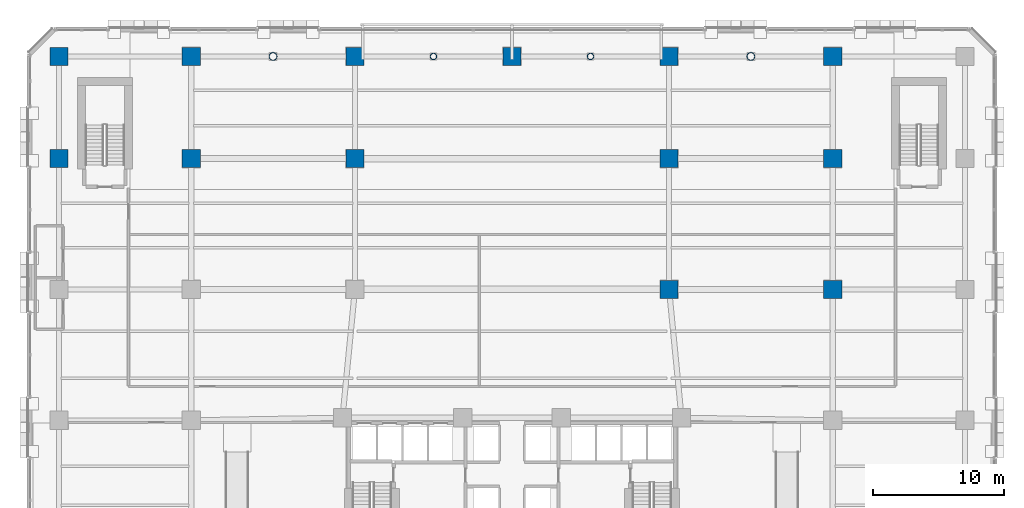
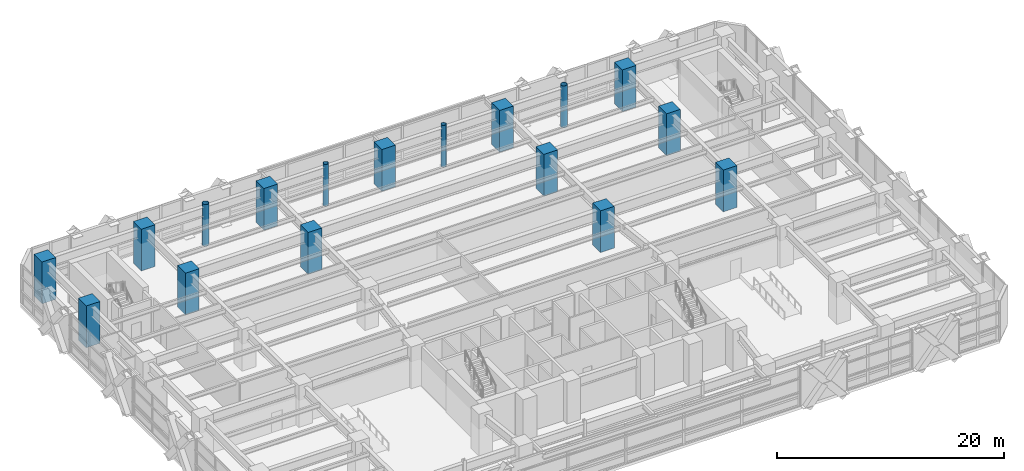
# One storey, part 4 of 30: 17 columns.
"""IFC4 building model written with IfcOpenShell, lengths in metres."""

import ifcopenshell
import ifcopenshell.guid

model = None  # the IFC model being written
_history = None  # IfcOwnerHistory: only IFC2X3 demands one
_inside = {}  # id of a spatial element -> (the spatial element, [elements in it])
_under = {}  # id of a project, library or spatial element -> (it, [spatial elements below it])
_declared = {}  # id of a project -> (the project, [libraries it declares])
_typed = {}  # id of a type object -> (the type object, [elements of that type])
_made_of = {}  # id of a material, layer set ... -> (it, [elements and type objects made of it])


def new_model(schema):
    """Start an empty IFC model of exactly this schema.

    Asked for "IFC4X3", IfcOpenShell would pick the latest addendum, in which some entities
    have other attributes; the version numbers below select the first issue.
    IFC2X3 requires an IfcOwnerHistory on every rooted entity: one is made here for all.
    """
    global model, _history
    if schema == "IFC4X3":
        model = ifcopenshell.file(schema_version=(4, 3, 0, 0))
    else:
        model = ifcopenshell.file(schema=schema)
    _inside.clear()
    _under.clear()
    _declared.clear()
    _typed.clear()
    _made_of.clear()
    _history = None
    if model.schema == "IFC2X3":
        org = make("IfcOrganization", Name="unknown")
        user = make(
            "IfcPersonAndOrganization",
            ThePerson=make("IfcPerson", FamilyName="unknown"),
            TheOrganization=org,
        )
        app = make(
            "IfcApplication",
            ApplicationDeveloper=org,
            Version="unknown",
            ApplicationFullName="unknown",
            ApplicationIdentifier="unknown",
        )
        _history = make(
            "IfcOwnerHistory",
            OwningUser=user,
            OwningApplication=app,
            ChangeAction="ADDED",
            CreationDate=0,
        )
    return model


def make(cls, **values):
    """One entity of the class cls with the attributes given. An attribute that is None is left unset."""
    return model.create_entity(
        cls, **{name: value for name, value in values.items() if value is not None}
    )


def rooted(cls, **values):
    """An entity with a GlobalId (a new one), such as an element, a storey or a relation."""
    return make(cls, GlobalId=ifcopenshell.guid.new(), OwnerHistory=_history, **values)


def si_unit(unit_type, name, prefix=None):
    """IfcSIUnit, for example si_unit("LENGTHUNIT", "METRE", prefix="MILLI")."""
    return make("IfcSIUnit", UnitType=unit_type, Prefix=prefix, Name=name)


def assignment(units):
    """IfcUnitAssignment: the units of a project."""
    return None if units is None else make("IfcUnitAssignment", Units=units)


def point(xyz):
    """IfcCartesianPoint."""
    return None if xyz is None else make("IfcCartesianPoint", Coordinates=xyz)


def direction(xyz):
    """IfcDirection."""
    return None if xyz is None else make("IfcDirection", DirectionRatios=xyz)


def frame(location, z_axis=None, x_axis=None):
    """IfcAxis2Placement3D, a coordinate frame: its origin and axes. An axis left out is left unset."""
    return make(
        "IfcAxis2Placement3D",
        Location=point(location),
        Axis=direction(z_axis),
        RefDirection=direction(x_axis),
    )


def frame_2d(location, x_axis=None):
    """IfcAxis2Placement2D, a coordinate frame in the plane: its origin and x axis."""
    return make(
        "IfcAxis2Placement2D", Location=point(location), RefDirection=direction(x_axis)
    )


def origin():
    """The frame at (0, 0, 0) with its axes left unset."""
    return frame((0.0, 0.0, 0.0))


def origin_2d():
    """The frame at (0, 0) in the plane with its x axis left unset."""
    return frame_2d((0.0, 0.0))


def place(relative_to, where):
    """IfcLocalPlacement: puts the frame where relative to a parent placement (None: the world)."""
    return make(
        "IfcLocalPlacement", PlacementRelTo=relative_to, RelativePlacement=where
    )


def context(
    kind, dimensions, precision=None, world=None, true_north=None, identifier=None
):
    """IfcGeometricRepresentationContext, for example the 3D "Model" context."""
    return make(
        "IfcGeometricRepresentationContext",
        ContextIdentifier=identifier,
        ContextType=kind,
        CoordinateSpaceDimension=dimensions,
        Precision=precision,
        WorldCoordinateSystem=world,
        TrueNorth=true_north,
    )


def subcontext(parent, identifier, kind, view, scale=None):
    """IfcGeometricRepresentationSubContext, for example "Body" below "Model"."""
    return make(
        "IfcGeometricRepresentationSubContext",
        ContextIdentifier=identifier,
        ContextType=kind,
        ParentContext=parent,
        TargetScale=scale,
        TargetView=view,
    )


def project(units=None, contexts=None):
    """IfcProject with its units and contexts."""
    return rooted(
        "IfcProject",
        Name="project",
        RepresentationContexts=contexts,
        UnitsInContext=assignment(units),
    )


def spatial(cls, under=None, at=None, **own):
    """A site, building, storey or space (cls), placed at a placement, below another one or the project."""
    s = rooted(cls, ObjectPlacement=at, **own)
    if under is not None:
        _under.setdefault(under.id(), (under, []))[1].append(s)
    return s


def profile(cls, at=None, kind="AREA", **sizes):
    """A parametric profile (cls). Its sizes go by their IFC names, for example OverallWidth=200.0."""
    return make(cls, ProfileType=kind, Position=at, **sizes)


def rectangle(**sizes):
    """IfcRectangleProfileDef."""
    return profile("IfcRectangleProfileDef", **sizes)


def hollow_circle(**sizes):
    """IfcCircleHollowProfileDef."""
    return profile("IfcCircleHollowProfileDef", **sizes)


def extrude(swept, where, along, depth):
    """IfcExtrudedAreaSolid: the profile swept, set in the frame where, extruded along a direction by depth."""
    return make(
        "IfcExtrudedAreaSolid",
        SweptArea=swept,
        Position=where,
        ExtrudedDirection=direction(along),
        Depth=depth,
    )


def shape(context_of_items, identifier, shape_type, items):
    """IfcShapeRepresentation: the items that make up one representation, for example the "Body"."""
    return make(
        "IfcShapeRepresentation",
        ContextOfItems=context_of_items,
        RepresentationIdentifier=identifier,
        RepresentationType=shape_type,
        Items=items,
    )


def material(Name=None, Category=None):
    """IfcMaterial."""
    return make("IfcMaterial", Name=Name, Category=Category)


def material_profile(
    of_material, cross_section, Name=None, Category=None, Priority=None
):
    """IfcMaterialProfile: a cross section and its material."""
    return make(
        "IfcMaterialProfile",
        Name=Name,
        Material=of_material,
        Profile=cross_section,
        Priority=Priority,
        Category=Category,
    )


def profile_set(profiles, Name=None, composite=None):
    """IfcMaterialProfileSet."""
    return make(
        "IfcMaterialProfileSet",
        Name=Name,
        MaterialProfiles=profiles,
        CompositeProfile=composite,
    )


def made_of(thing, what):
    """Note that an element or type object is made of a material, layer set ...; save() writes the relation."""
    if what is not None:
        _made_of.setdefault(what.id(), (what, []))[1].append(thing)
    return thing


def type_object(cls, material=None, **own):
    """A type object (cls), such as IfcWallType, which elements share."""
    return made_of(rooted(cls, **own), material)


def element(
    cls,
    number,
    at=None,
    inside=None,
    cuts=None,
    type_object=None,
    material=None,
    context=None,
    identifier="Body",
    shape_type=None,
    held_by="IfcProductDefinitionShape",
    body=None,
    shapes=None,
    **own,
):
    """One element of the class cls, such as IfcWall. Its Tag is "e" and its number.

    at: its placement. inside: the storey or other place that contains it. cuts: it is an
    opening in that element (IfcRelVoidsElement). A single representation is given by context,
    identifier, shape_type and body (its items); several are given by shapes. held_by: the class
    of the entity that holds the representations. save() writes the other relations.
    """
    e = rooted(cls, Tag="e%d" % number, ObjectPlacement=at, **own)
    if body is not None:
        shapes = [shape(context, identifier, shape_type, body)]
    if shapes is not None:
        e.Representation = make(held_by, Representations=shapes)
    if inside is not None:
        _inside.setdefault(inside.id(), (inside, []))[1].append(e)
    if cuts is not None:
        rooted(
            "IfcRelVoidsElement", RelatingBuildingElement=cuts, RelatedOpeningElement=e
        )
    if type_object is not None:
        _typed.setdefault(type_object.id(), (type_object, []))[1].append(e)
    return made_of(e, material)


def aggregate(whole, parts):
    """IfcRelAggregates: a whole, such as a stair, and the parts it consists of."""
    return rooted("IfcRelAggregates", RelatingObject=whole, RelatedObjects=parts)


def save(model, path):
    """Write the relations noted so far, then the file.

    IfcRelAggregates (storeys below a building ...), IfcRelContainedInSpatialStructure (elements
    in a storey), IfcRelDefinesByType, IfcRelAssociatesMaterial and IfcRelDeclares: one each for
    every whole, place, type object, material and project.
    """
    for whole, parts in _under.values():
        aggregate(whole, parts)
    for where, things in _inside.values():
        rooted(
            "IfcRelContainedInSpatialStructure",
            RelatedElements=things,
            RelatingStructure=where,
        )
    for kind, things in _typed.values():
        rooted("IfcRelDefinesByType", RelatedObjects=things, RelatingType=kind)
    for what, things in _made_of.values():
        rooted("IfcRelAssociatesMaterial", RelatedObjects=things, RelatingMaterial=what)
    for by, libraries in _declared.values():
        rooted("IfcRelDeclares", RelatingContext=by, RelatedDefinitions=libraries)
    model.write(path)


model = new_model("IFC4")

# Units and contexts
model_context = context("Model", 3, precision=1e-05, world=origin(), true_north=direction((0.0, 1.0)))
body_context = subcontext(model_context, "Body", "Model", "MODEL_VIEW")
ifc_project = project(units=[si_unit("LENGTHUNIT", "METRE"), si_unit("AREAUNIT", "SQUARE_METRE"), si_unit("VOLUMEUNIT", "CUBIC_METRE"), si_unit("PLANEANGLEUNIT", "RADIAN"), si_unit("MASSUNIT", "GRAM", prefix="KILO")], contexts=[model_context])

# Site, building, storey
site_placement = place(None, origin())
site = spatial("IfcSite", under=ifc_project, at=site_placement, CompositionType="ELEMENT")
building_placement = place(site_placement, origin())
building = spatial("IfcBuilding", under=site, at=building_placement, Name="Quenlor Broadcast Tower", CompositionType="ELEMENT")
storey_placement = place(building_placement, frame((0.0, 0.0, 9.5)))
storey = spatial("IfcBuildingStorey", under=building, at=storey_placement, Name="L02", CompositionType="ELEMENT", Elevation=9.5)

# Columns
ifc_material_1 = material(Name="Concrete C65/80", Category="concrete")
ifc_material_profile_1 = material_profile(ifc_material_1, rectangle(XDim=1.39990234375, YDim=1.39990234375, at=origin_2d()))
ifc_profile_set_1 = profile_set([ifc_material_profile_1], Name="Concrete C65/80 RC1400x1400")
column_type_1 = type_object("IfcColumnType", Name="Podium Mega Column Concrete C65/80 1400", PredefinedType="COLUMN", material=ifc_profile_set_1)
for number, where, z_axis, x_axis, name in (
    (1, (12.0, 5.0, 0.0), (0.0, 0.0, 1.0), (1.0, 0.0, 0.0), "L02 Podium Mega Column PM18"),
    (2, (24.5, 5.0, 0.0), (0.0, 0.0, 1.0), (1.0, 0.0, 0.0), "L02 Podium Mega Column PM19"),
    (3, (-34.60009765625, 15.0, 0.0), (0.0, 0.0, 1.0), (1.0, 0.0, 0.0), "L02 Podium Mega Column PM21"),
    (4, (-24.5, 15.0, 0.0), (0.0, 0.0, 1.0), (1.0, 0.0, 0.0), "L02 Podium Mega Column PM22"),
    (5, (-12.0, 15.0, 0.0), (0.0, 0.0, 1.0), (1.0, 0.0, 0.0), "L02 Podium Mega Column PM23"),
    (6, (12.0, 15.0, 0.0), (0.0, 0.0, 1.0), (1.0, 0.0, 0.0), "L02 Podium Mega Column PM24"),
    (7, (24.5, 15.0, 0.0), (0.0, 0.0, 1.0), (1.0, 0.0, 0.0), "L02 Podium Mega Column PM25"),
    (8, (-34.60009765625, 22.800048828125, 0.0), (0.0, 0.0, 1.0), (1.0, 0.0, 0.0), "L02 Podium Mega Column PM27"),
    (9, (-24.5, 22.800048828125, 0.0), (0.0, 0.0, 1.0), (1.0, 0.0, 0.0), "L02 Podium Mega Column PM28"),
    (10, (-12.0, 22.800048828125, 0.0), (0.0, 0.0, 1.0), (1.0, 0.0, 0.0), "L02 Podium Mega Column PM29"),
    (11, (0.0, 22.800048828125, 0.0), (0.0, 0.0, 1.0), (1.0, 0.0, 0.0), "L02 Podium Mega Column PM30"),
    (12, (12.0, 22.800048828125, 0.0), (0.0, 0.0, 1.0), (1.0, 0.0, 0.0), "L02 Podium Mega Column PM31"),
    (13, (24.5, 22.800048828125, 0.0), (0.0, 0.0, 1.0), (1.0, 0.0, 0.0), "L02 Podium Mega Column PM32"),
):
    element("IfcColumn", number, at=place(storey_placement, frame(where, z_axis=z_axis, x_axis=x_axis)), inside=storey, type_object=column_type_1, Name=name, PredefinedType="COLUMN", context=body_context, shape_type="SweptSolid", body=[
        extrude(rectangle(XDim=1.39990234375, YDim=1.39990234375, at=origin_2d()), origin(), (0.0, 0.0, 1.0), 4.5),
    ])
ifc_material_2 = material(Name="Steel S355", Category="steel")
ifc_material_profile_2 = material_profile(ifc_material_2, hollow_circle(Radius=0.304931640625, WallThickness=0.02490234375, at=origin_2d()))
ifc_profile_set_2 = profile_set([ifc_material_profile_2], Name="Steel S355 CHS610x25")
column_type_2 = type_object("IfcColumnType", Name="Station Concourse Column Steel S355 CHS610", PredefinedType="COLUMN", material=ifc_profile_set_2)
for number, where, z_axis, x_axis, name in (
    (14, (-18.25, 22.800048828125, 0.0), (0.0, 0.0, 1.0), (1.0, 0.0, 0.0), "L02 Station Steel Column SCW1"),
    (15, (18.25, 22.800048828125, 0.0), (0.0, 0.0, 1.0), (1.0, 0.0, 0.0), "L02 Station Steel Column SCE1"),
):
    element("IfcColumn", number, at=place(storey_placement, frame(where, z_axis=z_axis, x_axis=x_axis)), inside=storey, type_object=column_type_2, Name=name, PredefinedType="COLUMN", context=body_context, shape_type="SweptSolid", body=[
        extrude(hollow_circle(Radius=0.304931640625, WallThickness=0.02490234375, at=origin_2d()), origin(), (0.0, 0.0, 1.0), 4.5),
    ])
ifc_material_3 = material(Name="Steel S355", Category="steel")
ifc_material_profile_3 = material_profile(ifc_material_3, hollow_circle(Radius=0.25390625, WallThickness=0.02197265625, at=origin_2d()))
ifc_profile_set_3 = profile_set([ifc_material_profile_3], Name="Steel S355 CHS508x22")
column_type_3 = type_object("IfcColumnType", Name="Station Portal Column Steel S355 CHS508", PredefinedType="COLUMN", material=ifc_profile_set_3)
for number, where, z_axis, x_axis, name in (
    (16, (-6.0, 22.800048828125, 0.0), (0.0, 0.0, 1.0), (1.0, 0.0, 0.0), "L02 Station Steel Column SCW2"),
    (17, (6.0, 22.800048828125, 0.0), (0.0, 0.0, 1.0), (1.0, 0.0, 0.0), "L02 Station Steel Column SCE2"),
):
    element("IfcColumn", number, at=place(storey_placement, frame(where, z_axis=z_axis, x_axis=x_axis)), inside=storey, type_object=column_type_3, Name=name, PredefinedType="COLUMN", context=body_context, shape_type="SweptSolid", body=[
        extrude(hollow_circle(Radius=0.25390625, WallThickness=0.02197265625, at=origin_2d()), origin(), (0.0, 0.0, 1.0), 4.5),
    ])

save(model, "model.ifc")
